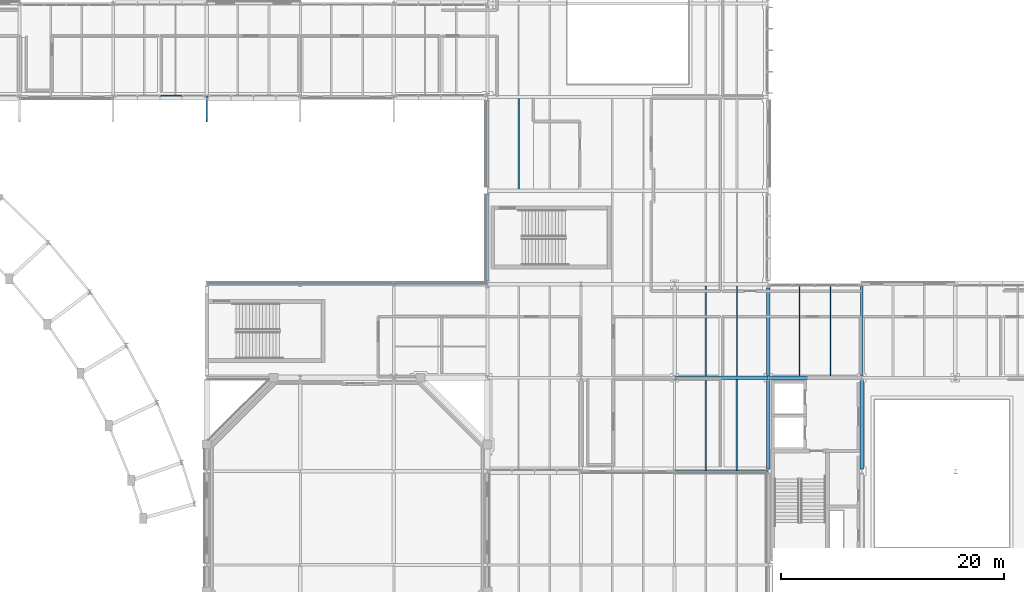
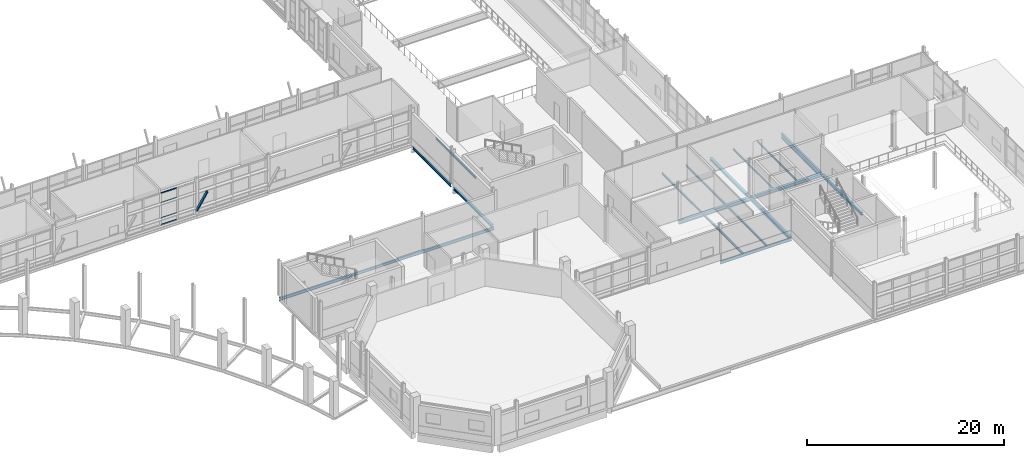
# One storey, part 28 of 129: 19 beams, 5 members, 1 element without a shape of its own.
"""IFC4 building model written with IfcOpenShell, lengths in metres."""

from ifc_helpers import new_model, si_unit, direction, frame, origin, origin_2d, place, context, subcontext, project, spatial, hollow_rectangle, i_section, extrude, material, material_profile, profile_set, type_object, element, aggregate, save


model = new_model("IFC4")

# Units and contexts
model_context = context("Model", 3, precision=1e-05, world=origin(), true_north=direction((0.0, 1.0)))
body_context = subcontext(model_context, "Body", "Model", "MODEL_VIEW")
ifc_project = project(units=[si_unit("LENGTHUNIT", "METRE"), si_unit("AREAUNIT", "SQUARE_METRE"), si_unit("VOLUMEUNIT", "CUBIC_METRE"), si_unit("PLANEANGLEUNIT", "RADIAN"), si_unit("MASSUNIT", "GRAM", prefix="KILO")], contexts=[model_context])

# Site, building, storey
site_placement = place(None, origin())
site = spatial("IfcSite", under=ifc_project, at=site_placement, CompositionType="ELEMENT")
building_placement = place(site_placement, origin())
building = spatial("IfcBuilding", under=site, at=building_placement, Name="Mersafa Astral City Hall", CompositionType="ELEMENT")
storey_placement = place(building_placement, frame((0.0, 0.0, 5.39990234375)))
storey = spatial("IfcBuildingStorey", under=building, at=storey_placement, Name="L01", CompositionType="ELEMENT", Elevation=5.39990234375)

# Curtain wall, members
ifc_material_1 = material(Name="Anodised bronze aluminium framing", Category="aluminium")
curtain_wall_type = type_object("IfcCurtainWallType", Name="ENV-CW-6", PredefinedType="USERDEFINED", material=ifc_material_1)
curtain_wall_placement = place(storey_placement, origin())
curtain_wall = element("IfcCurtainWall", 1, at=curtain_wall_placement, inside=storey, type_object=curtain_wall_type, Name="L01 Unitised solar curtain wall 101", ObjectType="UNITISED CURTAIN WALL", PredefinedType="USERDEFINED")
ifc_material_profile_1 = material_profile(ifc_material_1, hollow_rectangle(XDim=0.06005859375, YDim=0.139892578125, WallThickness=0.00390625, at=origin_2d()), Name="RHS 60x140x4")
ifc_profile_set_1 = profile_set([ifc_material_profile_1], Name="Anodised bronze aluminium framing")
member_type_1 = type_object("IfcMemberType", Name="ENV-CW-TRN-1", PredefinedType="USERDEFINED", material=ifc_profile_set_1)
member_1_placement = place(storey_placement, frame((63.06005859375, 50.52001953125, 0.028076171875), z_axis=(1.0, 0.0, 0.0), x_axis=(0.0, 1.0, 0.0)))
member_1 = element("IfcMember", 2, at=member_1_placement, type_object=member_type_1, Name="CW-6 transom 3.1", ObjectType="TRANSOM", PredefinedType="USERDEFINED", context=body_context, shape_type="SweptSolid", body=[
    extrude(hollow_rectangle(XDim=0.06005859375, YDim=0.139892578125, WallThickness=0.00390625, at=origin_2d()), origin(), (0.0, 0.0, 1.0), 1.89892578125),
])
member_2_placement = place(storey_placement, frame((63.06005859375, 50.52001953125, 0.85009765625), z_axis=(1.0, 0.0, 0.0), x_axis=(0.0, 1.0, 0.0)))
member_2 = element("IfcMember", 3, at=member_2_placement, type_object=member_type_1, Name="CW-6 transom 3.2", ObjectType="TRANSOM", PredefinedType="USERDEFINED", context=body_context, shape_type="SweptSolid", body=[
    extrude(hollow_rectangle(XDim=0.06005859375, YDim=0.139892578125, WallThickness=0.00390625, at=origin_2d()), origin(), (0.0, 0.0, 1.0), 1.89892578125),
])
member_3_placement = place(storey_placement, frame((63.06005859375, 50.52001953125, 2.75), z_axis=(1.0, 0.0, 0.0), x_axis=(0.0, 1.0, 0.0)))
member_3 = element("IfcMember", 4, at=member_3_placement, type_object=member_type_1, Name="CW-6 transom 3.3", ObjectType="TRANSOM", PredefinedType="USERDEFINED", context=body_context, shape_type="SweptSolid", body=[
    extrude(hollow_rectangle(XDim=0.06005859375, YDim=0.139892578125, WallThickness=0.00390625, at=origin_2d()), origin(), (0.0, 0.0, 1.0), 1.89892578125),
])
member_4_placement = place(storey_placement, frame((63.06005859375, 50.52001953125, 3.93701171875), z_axis=(1.0, 0.0, 0.0), x_axis=(0.0, 1.0, 0.0)))
member_4 = element("IfcMember", 5, at=member_4_placement, type_object=member_type_1, Name="CW-6 transom 3.4", ObjectType="TRANSOM", PredefinedType="USERDEFINED", context=body_context, shape_type="SweptSolid", body=[
    extrude(hollow_rectangle(XDim=0.06005859375, YDim=0.139892578125, WallThickness=0.00390625, at=origin_2d()), origin(), (0.0, 0.0, 1.0), 1.89892578125),
])
aggregate(curtain_wall, [member_1, member_2, member_3, member_4])

# Beams
ifc_material_2 = material(Name="Steel S355", Category="steel")
ifc_material_profile_2 = material_profile(ifc_material_2, i_section(OverallWidth=0.300048828125, OverallDepth=0.31005859375, WebThickness=0.009033203125, FlangeThickness=0.015380859375, FilletRadius=0.027099609375, at=origin_2d()), Name="HEA 320")
ifc_profile_set_2 = profile_set([ifc_material_profile_2], Name="Steel S355")
beam_type_1 = type_object("IfcBeamType", Name="STR-BM-HEA320", PredefinedType="BEAM", material=ifc_profile_set_2)
beam_1_placement = place(storey_placement, frame((117.60009765625, 25.419921875, -0.3798828125), z_axis=(0.0, 1.0, 0.0), x_axis=(-1.0, 0.0, 0.0)))
element("IfcBeam", 6, at=beam_1_placement, inside=storey, type_object=beam_type_1, Name="L01 Primary girder Y 14-3", PredefinedType="BEAM", context=body_context, shape_type="SweptSolid", body=[
    extrude(i_section(OverallWidth=0.300048828125, OverallDepth=0.31005859375, WebThickness=0.009033203125, FlangeThickness=0.015380859375, FilletRadius=0.027099609375, at=origin_2d()), origin(), (0.0, 0.0, 1.0), 7.860107421875),
])
beam_2_placement = place(storey_placement, frame((126.0, 17.02001953125, -0.3798828125), z_axis=(0.0, 1.0, 0.0), x_axis=(-1.0, 0.0, 0.0)))
element("IfcBeam", 7, at=beam_2_placement, inside=storey, type_object=beam_type_1, Name="L01 Primary girder Y 15-2", PredefinedType="BEAM", context=body_context, shape_type="SweptSolid", body=[
    extrude(i_section(OverallWidth=0.300048828125, OverallDepth=0.31005859375, WebThickness=0.009033203125, FlangeThickness=0.015380859375, FilletRadius=0.027099609375, at=origin_2d()), origin(), (0.0, 0.0, 1.0), 7.9599609375),
])
ifc_material_profile_3 = material_profile(ifc_material_2, i_section(OverallWidth=0.300048828125, OverallDepth=0.35009765625, WebThickness=0.010009765625, FlangeThickness=0.017578125, FilletRadius=0.027099609375, at=origin_2d()), Name="HEA 360")
ifc_profile_set_3 = profile_set([ifc_material_profile_3], Name="Steel S355")
beam_type_2 = type_object("IfcBeamType", Name="STR-BM-HEA360", PredefinedType="BEAM", material=ifc_profile_set_3)
beam_3_placement = place(storey_placement, frame((117.60009765625, 17.02001953125, -0.39990234375), z_axis=(0.0, 1.0, 0.0), x_axis=(-1.0, 0.0, 0.0)))
element("IfcBeam", 8, at=beam_3_placement, inside=storey, type_object=beam_type_2, Name="L01 Primary girder Y 14-2", PredefinedType="BEAM", context=body_context, shape_type="SweptSolid", body=[
    extrude(i_section(OverallWidth=0.300048828125, OverallDepth=0.35009765625, WebThickness=0.010009765625, FlangeThickness=0.017578125, FilletRadius=0.027099609375, at=origin_2d()), origin(), (0.0, 0.0, 1.0), 7.9599609375),
])
ifc_material_profile_4 = material_profile(ifc_material_2, i_section(OverallWidth=0.300048828125, OverallDepth=0.389892578125, WebThickness=0.010986328125, FlangeThickness=0.01904296875, FilletRadius=0.027099609375, at=origin_2d()), Name="HEA 400")
ifc_profile_set_4 = profile_set([ifc_material_profile_4], Name="Steel S355")
beam_type_3 = type_object("IfcBeamType", Name="STR-BM-HEA400", PredefinedType="BEAM", material=ifc_profile_set_4)
beam_4_placement = place(storey_placement, frame((117.60302734375, 25.199951171875, -0.419921875), z_axis=(1.0, 0.0, 0.0), x_axis=(0.0, 1.0, 0.0)))
element("IfcBeam", 9, at=beam_4_placement, inside=storey, type_object=beam_type_3, Name="L01 Primary girder X 14-3", PredefinedType="BEAM", context=body_context, shape_type="SweptSolid", body=[
    extrude(i_section(OverallWidth=0.300048828125, OverallDepth=0.389892578125, WebThickness=0.010986328125, FlangeThickness=0.01904296875, FilletRadius=0.027099609375, at=origin_2d()), origin(), (0.0, 0.0, 1.0), 8.39404296875),
])
ifc_material_profile_5 = material_profile(ifc_material_2, i_section(OverallWidth=0.300048828125, OverallDepth=0.43994140625, WebThickness=0.011474609375, FlangeThickness=0.02099609375, FilletRadius=0.027099609375, at=origin_2d()), Name="HEA 450")
ifc_profile_set_5 = profile_set([ifc_material_profile_5], Name="Steel S355")
beam_type_4 = type_object("IfcBeamType", Name="STR-BM-HEA450", PredefinedType="BEAM", material=ifc_profile_set_5)
beam_5_placement = place(storey_placement, frame((109.202880859375, 25.199951171875, -0.44482421875), z_axis=(1.0, 0.0, 0.0), x_axis=(0.0, 1.0, 0.0)))
element("IfcBeam", 10, at=beam_5_placement, inside=storey, type_object=beam_type_4, Name="L01 Primary girder X 13-3", PredefinedType="BEAM", context=body_context, shape_type="SweptSolid", body=[
    extrude(i_section(OverallWidth=0.300048828125, OverallDepth=0.43994140625, WebThickness=0.011474609375, FlangeThickness=0.02099609375, FilletRadius=0.027099609375, at=origin_2d()), origin(), (0.0, 0.0, 1.0), 8.39404296875),
])
ifc_material_profile_6 = material_profile(ifc_material_2, i_section(OverallWidth=0.219970703125, OverallDepth=0.60009765625, WebThickness=0.011962890625, FlangeThickness=0.01904296875, FilletRadius=0.02392578125, at=origin_2d()), Name="IPE 600")
ifc_profile_set_6 = profile_set([ifc_material_profile_6], Name="Steel S355")
beam_type_5 = type_object("IfcBeamType", Name="STR-BM-IPE600", PredefinedType="BEAM", material=ifc_profile_set_6)
beam_6_placement = place(storey_placement, frame((126.0, 25.419921875, -0.52490234375), z_axis=(0.0, 1.0, 0.0), x_axis=(-1.0, 0.0, 0.0)))
element("IfcBeam", 11, at=beam_6_placement, inside=storey, type_object=beam_type_5, Name="L01 Primary girder Y 15-3", PredefinedType="BEAM", context=body_context, shape_type="SweptSolid", body=[
    extrude(i_section(OverallWidth=0.219970703125, OverallDepth=0.60009765625, WebThickness=0.011962890625, FlangeThickness=0.01904296875, FilletRadius=0.02392578125, at=origin_2d()), origin(), (0.0, 0.0, 1.0), 7.9599609375),
])
ifc_material_profile_7 = material_profile(ifc_material_2, i_section(OverallWidth=0.110107421875, OverallDepth=0.219970703125, WebThickness=0.005859375, FlangeThickness=0.00927734375, FilletRadius=0.011962890625, at=origin_2d()), Name="IPE 220")
ifc_profile_set_7 = profile_set([ifc_material_profile_7], Name="Steel S355")
beam_type_6 = type_object("IfcBeamType", Name="STR-BM-JOIST-IPE220", PredefinedType="JOIST", material=ifc_profile_set_7)
for number, where, z_axis, x_axis, name in (
    (12, (120.39990234375, 25.344970703125, -0.3349609375), (0.0, 1.0, 0.0), (-1.0, 0.0, 0.0), "L01 Composite secondary floor joist 334"),
    (13, (123.199951171875, 25.344970703125, -0.3349609375), (0.0, 1.0, 0.0), (-1.0, 0.0, 0.0), "L01 Composite secondary floor joist 335"),
):
    element("IfcBeam", number, at=place(storey_placement, frame(where, z_axis=z_axis, x_axis=x_axis)), inside=storey, type_object=beam_type_6, Name=name, PredefinedType="JOIST", context=body_context, shape_type="SweptSolid", body=[
        extrude(i_section(OverallWidth=0.110107421875, OverallDepth=0.219970703125, WebThickness=0.005859375, FlangeThickness=0.00927734375, FilletRadius=0.011962890625, at=origin_2d()), origin(), (0.0, 0.0, 1.0), 8.175048828125),
    ])
ifc_material_profile_8 = material_profile(ifc_material_2, i_section(OverallWidth=0.1201171875, OverallDepth=0.239990234375, WebThickness=0.006103515625, FlangeThickness=0.009765625, FilletRadius=0.014892578125, at=origin_2d()), Name="IPE 240")
ifc_profile_set_8 = profile_set([ifc_material_profile_8], Name="Steel S355")
beam_type_7 = type_object("IfcBeamType", Name="STR-BM-JOIST-IPE240", PredefinedType="JOIST", material=ifc_profile_set_8)
beam_7_placement = place(storey_placement, frame((95.199951171875, 42.14501953125, -0.344970703125), z_axis=(0.0, 1.0, 0.0), x_axis=(-1.0, 0.0, 0.0)))
element("IfcBeam", 14, at=beam_7_placement, inside=storey, type_object=beam_type_7, Name="L01 Composite secondary floor joist 272", PredefinedType="JOIST", context=body_context, shape_type="SweptSolid", body=[
    extrude(i_section(OverallWidth=0.1201171875, OverallDepth=0.239990234375, WebThickness=0.006103515625, FlangeThickness=0.009765625, FilletRadius=0.014892578125, at=origin_2d()), origin(), (0.0, 0.0, 1.0), 8.10986328125),
])
for number, where, z_axis, x_axis, name in (
    (15, (112.0, 25.344970703125, -0.344970703125), (0.0, 1.0, 0.0), (-1.0, 0.0, 0.0), "L01 Composite secondary floor joist 308"),
    (16, (114.800048828125, 25.344970703125, -0.344970703125), (0.0, 1.0, 0.0), (-1.0, 0.0, 0.0), "L01 Composite secondary floor joist 309"),
):
    element("IfcBeam", number, at=place(storey_placement, frame(where, z_axis=z_axis, x_axis=x_axis)), inside=storey, type_object=beam_type_7, Name=name, PredefinedType="JOIST", context=body_context, shape_type="SweptSolid", body=[
        extrude(i_section(OverallWidth=0.1201171875, OverallDepth=0.239990234375, WebThickness=0.006103515625, FlangeThickness=0.009765625, FilletRadius=0.014892578125, at=origin_2d()), origin(), (0.0, 0.0, 1.0), 8.110107421875),
    ])
ifc_material_profile_9 = material_profile(ifc_material_2, i_section(OverallWidth=0.135009765625, OverallDepth=0.27001953125, WebThickness=0.006591796875, FlangeThickness=0.01025390625, FilletRadius=0.014892578125, at=origin_2d()), Name="IPE 270")
ifc_profile_set_9 = profile_set([ifc_material_profile_9], Name="Steel S355")
beam_type_8 = type_object("IfcBeamType", Name="STR-BM-JOIST-IPE270", PredefinedType="JOIST", material=ifc_profile_set_9)
for number, where, z_axis, x_axis, name in (
    (17, (112.0, 16.875, -0.35986328125), (0.0, 1.0, 0.0), (-1.0, 0.0, 0.0), "L01 Composite secondary floor joist 306"),
    (18, (114.800048828125, 16.875, -0.35986328125), (0.0, 1.0, 0.0), (-1.0, 0.0, 0.0), "L01 Composite secondary floor joist 307"),
):
    element("IfcBeam", number, at=place(storey_placement, frame(where, z_axis=z_axis, x_axis=x_axis)), inside=storey, type_object=beam_type_8, Name=name, PredefinedType="JOIST", context=body_context, shape_type="SweptSolid", body=[
        extrude(i_section(OverallWidth=0.135009765625, OverallDepth=0.27001953125, WebThickness=0.006591796875, FlangeThickness=0.01025390625, FilletRadius=0.014892578125, at=origin_2d()), origin(), (0.0, 0.0, 1.0), 8.179931640625),
    ])
ifc_material_profile_10 = material_profile(ifc_material_2, i_section(OverallWidth=0.280029296875, OverallDepth=0.27001953125, WebThickness=0.008056640625, FlangeThickness=0.012939453125, FilletRadius=0.02392578125, at=origin_2d()), Name="HEA 280")
ifc_profile_set_10 = profile_set([ifc_material_profile_10], Name="Steel S355")
beam_type_9 = type_object("IfcBeamType", Name="STR-BM-SPANDREL-HEA280", PredefinedType="SPANDREL", material=ifc_profile_set_10)
beam_8_placement = place(storey_placement, frame((92.39990234375, 33.919921875, -0.35986328125), z_axis=(0.0, 1.0, 0.0), x_axis=(-1.0, 0.0, 0.0)))
element("IfcBeam", 19, at=beam_8_placement, inside=storey, type_object=beam_type_9, Name="L01 Primary girder Y 11-4", PredefinedType="SPANDREL", context=body_context, shape_type="SweptSolid", body=[
    extrude(i_section(OverallWidth=0.280029296875, OverallDepth=0.27001953125, WebThickness=0.008056640625, FlangeThickness=0.012939453125, FilletRadius=0.02392578125, at=origin_2d()), origin(), (0.0, 0.0, 1.0), 7.760009765625),
])
ifc_material_profile_11 = material_profile(ifc_material_2, i_section(OverallWidth=0.159912109375, OverallDepth=0.330078125, WebThickness=0.007568359375, FlangeThickness=0.011474609375, FilletRadius=0.01806640625, at=origin_2d()), Name="IPE 330")
ifc_profile_set_11 = profile_set([ifc_material_profile_11], Name="Steel S355")
beam_type_10 = type_object("IfcBeamType", Name="STR-BM-SPANDREL-IPE330", PredefinedType="SPANDREL", material=ifc_profile_set_11)
for number, where, z_axis, x_axis, name in (
    (20, (109.202880859375, 16.800048828125, -0.389892578125), (1.0, 0.0, 0.0), (0.0, 1.0, 0.0), "L01 Primary girder X 13-2"),
    (21, (75.60302734375, 33.60009765625, -0.389892578125), (1.0, 0.0, 0.0), (0.0, 1.0, 0.0), "L01 Primary girder X 9-4"),
):
    element("IfcBeam", number, at=place(storey_placement, frame(where, z_axis=z_axis, x_axis=x_axis)), inside=storey, type_object=beam_type_10, Name=name, PredefinedType="SPANDREL", context=body_context, shape_type="SweptSolid", body=[
        extrude(i_section(OverallWidth=0.159912109375, OverallDepth=0.330078125, WebThickness=0.007568359375, FlangeThickness=0.011474609375, FilletRadius=0.01806640625, at=origin_2d()), origin(), (0.0, 0.0, 1.0), 8.39404296875),
    ])
ifc_material_profile_12 = material_profile(ifc_material_2, i_section(OverallWidth=0.169921875, OverallDepth=0.360107421875, WebThickness=0.008056640625, FlangeThickness=0.0126953125, FilletRadius=0.01806640625, at=origin_2d()), Name="IPE 360")
ifc_profile_set_12 = profile_set([ifc_material_profile_12], Name="Steel S355")
beam_type_11 = type_object("IfcBeamType", Name="STR-BM-SPANDREL-IPE360", PredefinedType="SPANDREL", material=ifc_profile_set_12)
for number, where, z_axis, x_axis, name in (
    (22, (67.202880859375, 33.60009765625, -0.40478515625), (1.0, 0.0, 0.0), (0.0, 1.0, 0.0), "L01 Primary girder X 8-4"),
    (23, (84.0029296875, 33.60009765625, -0.40478515625), (1.0, 0.0, 0.0), (0.0, 1.0, 0.0), "L01 Primary girder X 10-4"),
):
    element("IfcBeam", number, at=place(storey_placement, frame(where, z_axis=z_axis, x_axis=x_axis)), inside=storey, type_object=beam_type_11, Name=name, PredefinedType="SPANDREL", context=body_context, shape_type="SweptSolid", body=[
        extrude(i_section(OverallWidth=0.169921875, OverallDepth=0.360107421875, WebThickness=0.008056640625, FlangeThickness=0.0126953125, FilletRadius=0.01806640625, at=origin_2d()), origin(), (0.0, 0.0, 1.0), 8.39404296875),
    ])
beam_9_placement = place(storey_placement, frame((92.39990234375, 42.320068359375, -0.40478515625), z_axis=(0.0, 1.0, 0.0), x_axis=(-1.0, 0.0, 0.0)))
element("IfcBeam", 24, at=beam_9_placement, inside=storey, type_object=beam_type_11, Name="L01 Primary girder Y 11-5", PredefinedType="SPANDREL", context=body_context, shape_type="SweptSolid", body=[
    extrude(i_section(OverallWidth=0.169921875, OverallDepth=0.360107421875, WebThickness=0.008056640625, FlangeThickness=0.0126953125, FilletRadius=0.01806640625, at=origin_2d()), origin(), (0.0, 0.0, 1.0), 7.760009765625),
])

# Member
ifc_material_profile_13 = material_profile(ifc_material_2, hollow_rectangle(XDim=0.14990234375, YDim=0.25, WallThickness=0.010009765625, at=origin_2d()), Name="RHS 150x250x10")
ifc_profile_set_13 = profile_set([ifc_material_profile_13], Name="Steel S355")
member_type_2 = type_object("IfcMemberType", Name="STR-MBR-STRUT-RHS150X250", PredefinedType="BRACE", material=ifc_profile_set_13)
member_5_placement = place(storey_placement, frame((67.199951171875, 50.39990234375, 0.400146484375), z_axis=(0.0, -0.503423090929, 0.864040040461), x_axis=(1.0, 0.0, 0.0)))
element("IfcMember", 25, at=member_5_placement, inside=storey, type_object=member_type_2, Name="L01 Raked cosmic eave strut ROOF-T3-V4S S-8", PredefinedType="BRACE", context=body_context, shape_type="SweptSolid", body=[
    extrude(hollow_rectangle(XDim=0.14990234375, YDim=0.25, WallThickness=0.010009765625, at=origin_2d()), origin(), (0.0, 0.0, 1.0), 4.2705078125),
])

save(model, "model.ifc")
